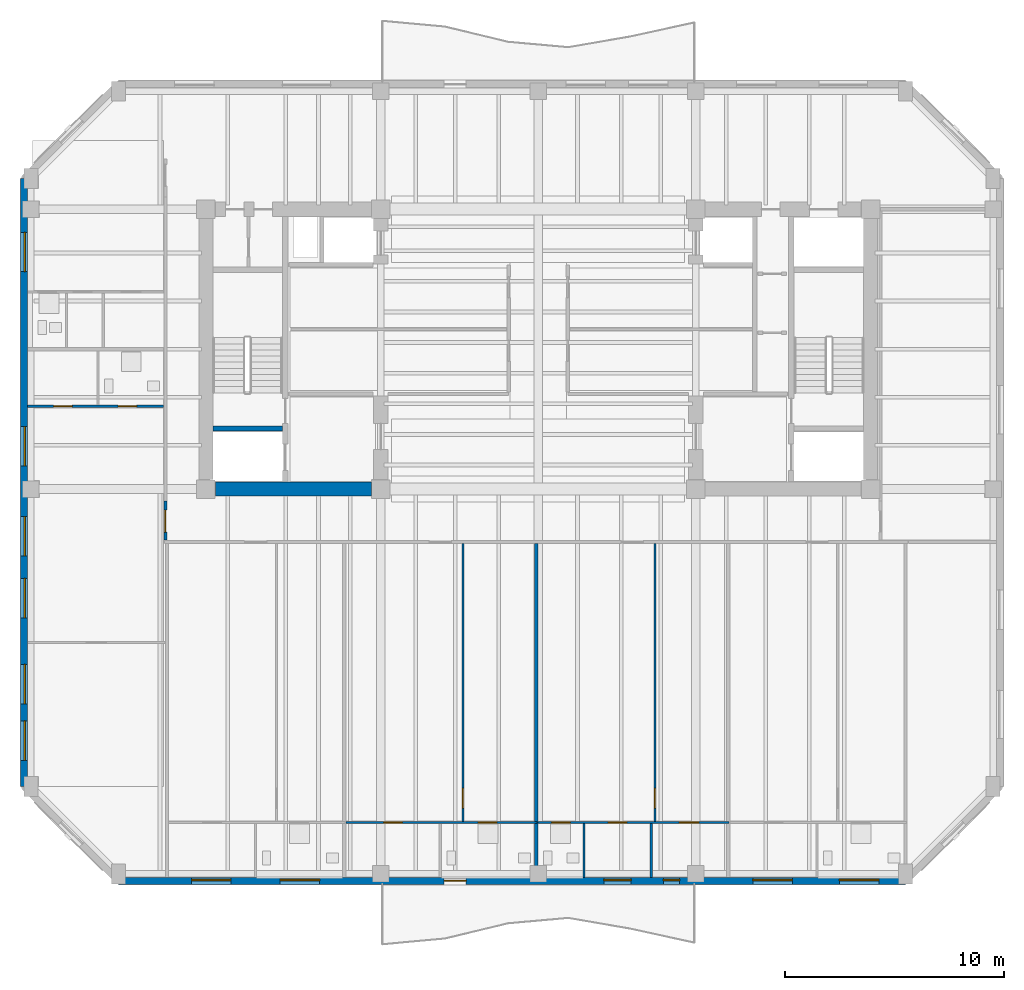
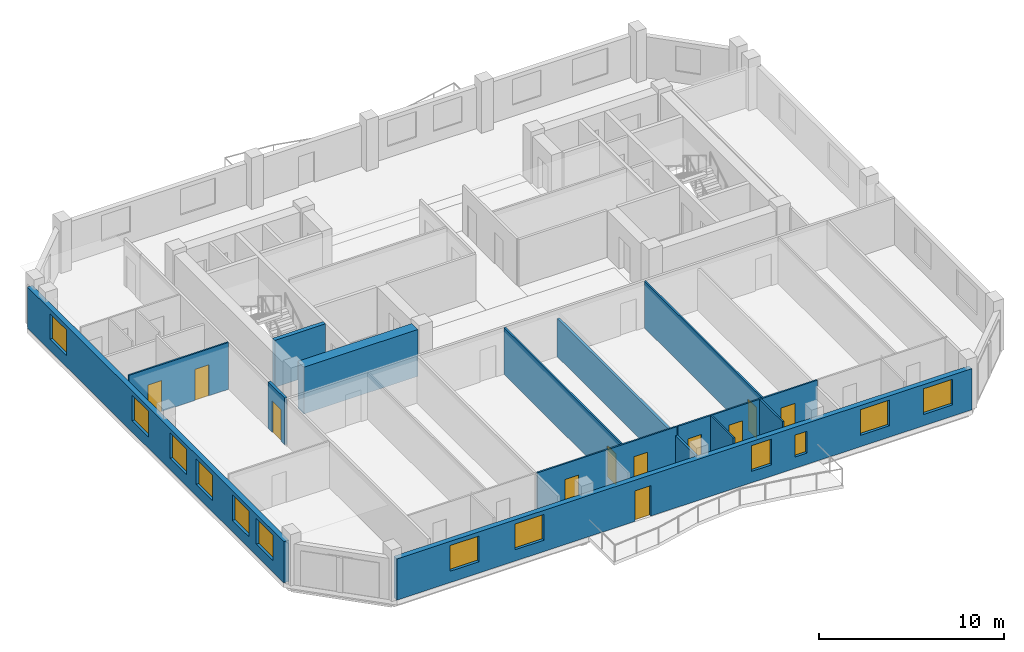
# One storey, part 3 of 11: 13 walls, 12 windows, 11 doors, 23 openings.
"""IFC4 building model written with IfcOpenShell, lengths in metres."""

from ifc_helpers import new_model, si_unit, direction, frame, frame_2d, origin, place, context, subcontext, project, spatial, rectangle, extrude, material, layer, layer_set, type_object, element, fill, save


model = new_model("IFC4")

# Units and contexts
model_context = context("Model", 3, precision=1e-05, world=origin(), true_north=direction((0.0, 1.0)))
body_context = subcontext(model_context, "Body", "Model", "MODEL_VIEW")
ifc_project = project(units=[si_unit("LENGTHUNIT", "METRE"), si_unit("AREAUNIT", "SQUARE_METRE"), si_unit("VOLUMEUNIT", "CUBIC_METRE"), si_unit("PLANEANGLEUNIT", "RADIAN"), si_unit("MASSUNIT", "GRAM", prefix="KILO")], contexts=[model_context])

# Site, building, storey
site_placement = place(None, origin())
site = spatial("IfcSite", under=ifc_project, at=site_placement, CompositionType="ELEMENT")
building_placement = place(site_placement, origin())
building = spatial("IfcBuilding", under=site, at=building_placement, Name="Kranthara Brick Stack", CompositionType="ELEMENT")
storey_placement = place(building_placement, frame((0.0, 0.0, 221.10009765625)))
storey = spatial("IfcBuildingStorey", under=building, at=storey_placement, Name="L57", CompositionType="ELEMENT", Elevation=221.10009765625)

# Wall, openings, door, windows
ifc_material_1 = material(Name="Warm buff clay brick masonry M15", Category="masonry")
ifc_layer_1 = layer(ifc_material_1, 0.320068359375)
ifc_layer_set_1 = layer_set([ifc_layer_1], Name="Warm buff clay brick masonry M15")
wall_type_1 = type_object("IfcWallType", Name="WL-BRK-UPPR-320", PredefinedType="STANDARD", material=ifc_layer_set_1)
wall_1_placement = place(storey_placement, frame((44.800048828125, 2.8798828125, 0.0), z_axis=(0.0, 0.0, 1.0), x_axis=(-1.0, 0.0, 0.0)))
wall_1 = element("IfcWall", 1, at=wall_1_placement, inside=storey, type_object=wall_type_1, Name="L57 Exterior Brick Facade Wall SOUTH 1", PredefinedType="STANDARD", context=body_context, shape_type="SweptSolid", body=[
    extrude(rectangle(XDim=36.0, YDim=0.320068359375, at=frame_2d((18.0, 0.0))), origin(), (0.0, 0.0, 1.0), 2.724853515625),
])
opening_1_placement = place(wall_1_placement, frame((20.10009765625, 0.0, 0.0)))
opening_1 = element("IfcOpeningElement", 2, at=opening_1_placement, cuts=wall_1, Name="Opening D03", PredefinedType="OPENING", context=body_context, shape_type="SweptSolid", body=[
    extrude(rectangle(XDim=1.0, YDim=2.02001953125, at=frame_2d((0.5, 1.010009765625))), frame((0.0, 0.169921875, 0.0), z_axis=(0.0, -1.0, 0.0), x_axis=(1.0, 0.0, 0.0)), (0.0, 0.0, 1.0), 0.340087890625),
])
opening_2_placement = place(wall_1_placement, frame((1.22705078125, 0.0, 0.75)))
opening_2 = element("IfcOpeningElement", 3, at=opening_2_placement, cuts=wall_1, Name="Opening WN07", PredefinedType="OPENING", context=body_context, shape_type="SweptSolid", body=[
    extrude(rectangle(XDim=1.800048828125, YDim=1.699951171875, at=frame_2d((0.89990234375, 0.85009765625))), frame((0.0, 0.169921875, 0.0), z_axis=(0.0, -1.0, 0.0), x_axis=(1.0, 0.0, 0.0)), (0.0, 0.0, 1.0), 0.340087890625),
])
opening_3_placement = place(wall_1_placement, frame((5.179931640625, 0.0, 0.75)))
opening_3 = element("IfcOpeningElement", 4, at=opening_3_placement, cuts=wall_1, Name="Opening WN07", PredefinedType="OPENING", context=body_context, shape_type="SweptSolid", body=[
    extrude(rectangle(XDim=1.800048828125, YDim=1.699951171875, at=frame_2d((0.89990234375, 0.85009765625))), frame((0.0, 0.169921875, 0.0), z_axis=(0.0, -1.0, 0.0), x_axis=(1.0, 0.0, 0.0)), (0.0, 0.0, 1.0), 0.340087890625),
])
opening_4_placement = place(wall_1_placement, frame((12.548095703125, 0.0, 0.75)))
opening_4 = element("IfcOpeningElement", 5, at=opening_4_placement, cuts=wall_1, Name="Opening WN09", PredefinedType="OPENING", context=body_context, shape_type="SweptSolid", body=[
    extrude(rectangle(XDim=1.25, YDim=1.699951171875, at=frame_2d((0.625, 0.85009765625))), frame((0.0, 0.169921875, 0.0), z_axis=(0.0, -1.0, 0.0), x_axis=(1.0, 0.0, 0.0)), (0.0, 0.0, 1.0), 0.340087890625),
])
opening_5_placement = place(wall_1_placement, frame((26.800048828125, 0.0, 0.75)))
opening_5 = element("IfcOpeningElement", 6, at=opening_5_placement, cuts=wall_1, Name="Opening WN07", PredefinedType="OPENING", context=body_context, shape_type="SweptSolid", body=[
    extrude(rectangle(XDim=1.800048828125, YDim=1.699951171875, at=frame_2d((0.89990234375, 0.85009765625))), frame((0.0, 0.169921875, 0.0), z_axis=(0.0, -1.0, 0.0), x_axis=(1.0, 0.0, 0.0)), (0.0, 0.0, 1.0), 0.340087890625),
])
opening_6_placement = place(wall_1_placement, frame((30.85400390625, 0.0, 0.75)))
opening_6 = element("IfcOpeningElement", 7, at=opening_6_placement, cuts=wall_1, Name="Opening WN07", PredefinedType="OPENING", context=body_context, shape_type="SweptSolid", body=[
    extrude(rectangle(XDim=1.800048828125, YDim=1.699951171875, at=frame_2d((0.89990234375, 0.85009765625))), frame((0.0, 0.169921875, 0.0), z_axis=(0.0, -1.0, 0.0), x_axis=(1.0, 0.0, 0.0)), (0.0, 0.0, 1.0), 0.340087890625),
])
opening_7_placement = place(wall_1_placement, frame((10.330078125, 0.0, 0.75)))
opening_7 = element("IfcOpeningElement", 8, at=opening_7_placement, cuts=wall_1, Name="Opening WN13", PredefinedType="OPENING", context=body_context, shape_type="SweptSolid", body=[
    extrude(rectangle(XDim=0.75, YDim=1.449951171875, at=frame_2d((0.375, 0.72509765625))), frame((0.0, 0.169921875, 0.0), z_axis=(0.0, -1.0, 0.0), x_axis=(1.0, 0.0, 0.0)), (0.0, 0.0, 1.0), 0.340087890625),
])
ifc_material_2 = material(Name="Bronze anodised aluminium and laminated glass", Category="aluminium")
door_type_1 = type_object("IfcDoorType", Name="DR-BALC-1000", OperationType="NOTDEFINED", PredefinedType="DOOR", material=ifc_material_2)
door_1_placement = place(opening_1_placement, origin())
door_1 = element("IfcDoor", 9, at=door_1_placement, inside=storey, type_object=door_type_1, Name="L57 South Balcony Terrace Door", OperationType="SINGLE_SWING_LEFT", OverallHeight=2.02001953125, OverallWidth=1.0, PredefinedType="DOOR", context=body_context, shape_type="SweptSolid", body=[
    extrude(rectangle(XDim=1.0, YDim=2.02001953125, at=frame_2d((0.5, 1.010009765625))), frame((0.0, 0.02490234375, 0.0), z_axis=(0.0, -1.0, 0.0), x_axis=(1.0, 0.0, 0.0)), (0.0, 0.0, 1.0), 0.050048828125),
])
fill(opening_1, door_1)
ifc_material_3 = material(Name="Double-glazed low-E solar control glass", Category="glass")
window_type_1 = type_object("IfcWindowType", Name="WN-CAS-750x1450", PartitioningType="SINGLE_PANEL", PredefinedType="WINDOW", material=ifc_material_3)
window_1_placement = place(opening_7_placement, origin())
window_1 = element("IfcWindow", 10, at=window_1_placement, inside=storey, type_object=window_type_1, Name="L57 South Deep-Set Casement Window 06", OverallHeight=1.449951171875, OverallWidth=0.75, PartitioningType="SINGLE_PANEL", PredefinedType="WINDOW", context=body_context, shape_type="SweptSolid", body=[
    extrude(rectangle(XDim=0.75, YDim=1.449951171875, at=frame_2d((0.375, 0.72509765625))), frame((0.0, -0.010009765625, 0.0), z_axis=(0.0, -1.0, 0.0), x_axis=(1.0, 0.0, 0.0)), (0.0, 0.0, 1.0), 0.06005859375),
])
fill(opening_7, window_1)
ifc_material_4 = material(Name="Double-glazed low-E solar control glass", Category="glass")
window_type_2 = type_object("IfcWindowType", Name="WN-RES-1250x1850", PartitioningType="SINGLE_PANEL", PredefinedType="WINDOW", material=ifc_material_4)
window_2_placement = place(opening_4_placement, origin())
window_2 = element("IfcWindow", 11, at=window_2_placement, inside=storey, type_object=window_type_2, Name="L57 South Deep-Set Brick Window 03", OverallHeight=1.699951171875, OverallWidth=1.25, PartitioningType="SINGLE_PANEL", PredefinedType="WINDOW", context=body_context, shape_type="SweptSolid", body=[
    extrude(rectangle(XDim=1.25, YDim=1.699951171875, at=frame_2d((0.625, 0.85009765625))), frame((0.0, -0.010009765625, 0.0), z_axis=(0.0, -1.0, 0.0), x_axis=(1.0, 0.0, 0.0)), (0.0, 0.0, 1.0), 0.06005859375),
])
fill(opening_4, window_2)
ifc_material_5 = material(Name="Double-glazed low-E solar control glass", Category="glass")
window_type_3 = type_object("IfcWindowType", Name="WN-RES-1800x1850", PartitioningType="DOUBLE_PANEL_VERTICAL", PredefinedType="WINDOW", material=ifc_material_5)
window_3_placement = place(opening_2_placement, origin())
window_3 = element("IfcWindow", 12, at=window_3_placement, inside=storey, type_object=window_type_3, Name="L57 South Deep-Set Brick Window 01", OverallHeight=1.699951171875, OverallWidth=1.800048828125, PartitioningType="SINGLE_PANEL", PredefinedType="WINDOW", context=body_context, shape_type="SweptSolid", body=[
    extrude(rectangle(XDim=1.800048828125, YDim=1.699951171875, at=frame_2d((0.89990234375, 0.85009765625))), frame((0.0, -0.010009765625, 0.0), z_axis=(0.0, -1.0, 0.0), x_axis=(1.0, 0.0, 0.0)), (0.0, 0.0, 1.0), 0.06005859375),
])
fill(opening_2, window_3)
window_4_placement = place(opening_3_placement, origin())
window_4 = element("IfcWindow", 13, at=window_4_placement, inside=storey, type_object=window_type_3, Name="L57 South Deep-Set Brick Window 02", OverallHeight=1.699951171875, OverallWidth=1.800048828125, PartitioningType="SINGLE_PANEL", PredefinedType="WINDOW", context=body_context, shape_type="SweptSolid", body=[
    extrude(rectangle(XDim=1.800048828125, YDim=1.699951171875, at=frame_2d((0.89990234375, 0.85009765625))), frame((0.0, -0.010009765625, 0.0), z_axis=(0.0, -1.0, 0.0), x_axis=(1.0, 0.0, 0.0)), (0.0, 0.0, 1.0), 0.06005859375),
])
fill(opening_3, window_4)
window_5_placement = place(opening_5_placement, origin())
window_5 = element("IfcWindow", 14, at=window_5_placement, inside=storey, type_object=window_type_3, Name="L57 South Deep-Set Brick Window 04", OverallHeight=1.699951171875, OverallWidth=1.800048828125, PartitioningType="SINGLE_PANEL", PredefinedType="WINDOW", context=body_context, shape_type="SweptSolid", body=[
    extrude(rectangle(XDim=1.800048828125, YDim=1.699951171875, at=frame_2d((0.89990234375, 0.85009765625))), frame((0.0, -0.010009765625, 0.0), z_axis=(0.0, -1.0, 0.0), x_axis=(1.0, 0.0, 0.0)), (0.0, 0.0, 1.0), 0.06005859375),
])
fill(opening_5, window_5)
window_6_placement = place(opening_6_placement, origin())
window_6 = element("IfcWindow", 15, at=window_6_placement, inside=storey, type_object=window_type_3, Name="L57 South Deep-Set Brick Window 05", OverallHeight=1.699951171875, OverallWidth=1.800048828125, PartitioningType="SINGLE_PANEL", PredefinedType="WINDOW", context=body_context, shape_type="SweptSolid", body=[
    extrude(rectangle(XDim=1.800048828125, YDim=1.699951171875, at=frame_2d((0.89990234375, 0.85009765625))), frame((0.0, -0.010009765625, 0.0), z_axis=(0.0, -1.0, 0.0), x_axis=(1.0, 0.0, 0.0)), (0.0, 0.0, 1.0), 0.06005859375),
])
fill(opening_6, window_6)

# Wall, openings, windows
wall_2_placement = place(storey_placement, frame((4.47998046875, 7.199951171875, 0.0), z_axis=(0.0, 0.0, 1.0), x_axis=(0.0, 1.0, 0.0)))
wall_2 = element("IfcWall", 16, at=wall_2_placement, inside=storey, type_object=wall_type_1, Name="L57 Exterior Brick Facade Wall WEST 1", PredefinedType="STANDARD", context=body_context, shape_type="SweptSolid", body=[
    extrude(rectangle(XDim=27.800048828125, YDim=0.320068359375, at=frame_2d((13.89990234375, 0.0))), origin(), (0.0, 0.0, 1.0), 2.724853515625),
])
opening_8_placement = place(wall_2_placement, frame((1.197998046875, 0.0, 0.75)))
opening_8 = element("IfcOpeningElement", 17, at=opening_8_placement, cuts=wall_2, Name="Opening WN07", PredefinedType="OPENING", context=body_context, shape_type="SweptSolid", body=[
    extrude(rectangle(XDim=1.800048828125, YDim=1.699951171875, at=frame_2d((0.89990234375, 0.85009765625))), frame((0.0, 0.169921875, 0.0), z_axis=(0.0, -1.0, 0.0), x_axis=(1.0, 0.0, 0.0)), (0.0, 0.0, 1.0), 0.340087890625),
])
opening_9_placement = place(wall_2_placement, frame((3.780029296875, 0.0, 0.75)))
opening_9 = element("IfcOpeningElement", 18, at=opening_9_placement, cuts=wall_2, Name="Opening WN07", PredefinedType="OPENING", context=body_context, shape_type="SweptSolid", body=[
    extrude(rectangle(XDim=1.800048828125, YDim=1.699951171875, at=frame_2d((0.89990234375, 0.85009765625))), frame((0.0, 0.169921875, 0.0), z_axis=(0.0, -1.0, 0.0), x_axis=(1.0, 0.0, 0.0)), (0.0, 0.0, 1.0), 0.340087890625),
])
opening_10_placement = place(wall_2_placement, frame((7.7109375, 0.0, 0.75)))
opening_10 = element("IfcOpeningElement", 19, at=opening_10_placement, cuts=wall_2, Name="Opening WN07", PredefinedType="OPENING", context=body_context, shape_type="SweptSolid", body=[
    extrude(rectangle(XDim=1.800048828125, YDim=1.699951171875, at=frame_2d((0.89990234375, 0.85009765625))), frame((0.0, 0.169921875, 0.0), z_axis=(0.0, -1.0, 0.0), x_axis=(1.0, 0.0, 0.0)), (0.0, 0.0, 1.0), 0.340087890625),
])
opening_11_placement = place(wall_2_placement, frame((10.5419921875, 0.0, 0.75)))
opening_11 = element("IfcOpeningElement", 20, at=opening_11_placement, cuts=wall_2, Name="Opening WN07", PredefinedType="OPENING", context=body_context, shape_type="SweptSolid", body=[
    extrude(rectangle(XDim=1.800048828125, YDim=1.699951171875, at=frame_2d((0.89990234375, 0.85009765625))), frame((0.0, 0.169921875, 0.0), z_axis=(0.0, -1.0, 0.0), x_axis=(1.0, 0.0, 0.0)), (0.0, 0.0, 1.0), 0.340087890625),
])
opening_12_placement = place(wall_2_placement, frame((14.657958984375, 0.0, 0.75)))
opening_12 = element("IfcOpeningElement", 21, at=opening_12_placement, cuts=wall_2, Name="Opening WN07", PredefinedType="OPENING", context=body_context, shape_type="SweptSolid", body=[
    extrude(rectangle(XDim=1.800048828125, YDim=1.699951171875, at=frame_2d((0.89990234375, 0.85009765625))), frame((0.0, 0.169921875, 0.0), z_axis=(0.0, -1.0, 0.0), x_axis=(1.0, 0.0, 0.0)), (0.0, 0.0, 1.0), 0.340087890625),
])
opening_13_placement = place(wall_2_placement, frame((23.54296875, 0.0, 0.75)))
opening_13 = element("IfcOpeningElement", 22, at=opening_13_placement, cuts=wall_2, Name="Opening WN07", PredefinedType="OPENING", context=body_context, shape_type="SweptSolid", body=[
    extrude(rectangle(XDim=1.800048828125, YDim=1.699951171875, at=frame_2d((0.89990234375, 0.85009765625))), frame((0.0, 0.169921875, 0.0), z_axis=(0.0, -1.0, 0.0), x_axis=(1.0, 0.0, 0.0)), (0.0, 0.0, 1.0), 0.340087890625),
])
window_7_placement = place(opening_8_placement, origin())
window_7 = element("IfcWindow", 23, at=window_7_placement, inside=storey, type_object=window_type_3, Name="L57 West Deep-Set Brick Window 01", OverallHeight=1.699951171875, OverallWidth=1.800048828125, PartitioningType="SINGLE_PANEL", PredefinedType="WINDOW", context=body_context, shape_type="SweptSolid", body=[
    extrude(rectangle(XDim=1.800048828125, YDim=1.699951171875, at=frame_2d((0.89990234375, 0.85009765625))), frame((0.0, -0.010009765625, 0.0), z_axis=(0.0, -1.0, 0.0), x_axis=(1.0, 0.0, 0.0)), (0.0, 0.0, 1.0), 0.06005859375),
])
fill(opening_8, window_7)
window_8_placement = place(opening_9_placement, origin())
window_8 = element("IfcWindow", 24, at=window_8_placement, inside=storey, type_object=window_type_3, Name="L57 West Deep-Set Brick Window 02", OverallHeight=1.699951171875, OverallWidth=1.800048828125, PartitioningType="SINGLE_PANEL", PredefinedType="WINDOW", context=body_context, shape_type="SweptSolid", body=[
    extrude(rectangle(XDim=1.800048828125, YDim=1.699951171875, at=frame_2d((0.89990234375, 0.85009765625))), frame((0.0, -0.010009765625, 0.0), z_axis=(0.0, -1.0, 0.0), x_axis=(1.0, 0.0, 0.0)), (0.0, 0.0, 1.0), 0.06005859375),
])
fill(opening_9, window_8)
window_9_placement = place(opening_10_placement, origin())
window_9 = element("IfcWindow", 25, at=window_9_placement, inside=storey, type_object=window_type_3, Name="L57 West Deep-Set Brick Window 03", OverallHeight=1.699951171875, OverallWidth=1.800048828125, PartitioningType="SINGLE_PANEL", PredefinedType="WINDOW", context=body_context, shape_type="SweptSolid", body=[
    extrude(rectangle(XDim=1.800048828125, YDim=1.699951171875, at=frame_2d((0.89990234375, 0.85009765625))), frame((0.0, -0.010009765625, 0.0), z_axis=(0.0, -1.0, 0.0), x_axis=(1.0, 0.0, 0.0)), (0.0, 0.0, 1.0), 0.06005859375),
])
fill(opening_10, window_9)
window_10_placement = place(opening_11_placement, origin())
window_10 = element("IfcWindow", 26, at=window_10_placement, inside=storey, type_object=window_type_3, Name="L57 West Deep-Set Brick Window 04", OverallHeight=1.699951171875, OverallWidth=1.800048828125, PartitioningType="SINGLE_PANEL", PredefinedType="WINDOW", context=body_context, shape_type="SweptSolid", body=[
    extrude(rectangle(XDim=1.800048828125, YDim=1.699951171875, at=frame_2d((0.89990234375, 0.85009765625))), frame((0.0, -0.010009765625, 0.0), z_axis=(0.0, -1.0, 0.0), x_axis=(1.0, 0.0, 0.0)), (0.0, 0.0, 1.0), 0.06005859375),
])
fill(opening_11, window_10)
window_11_placement = place(opening_12_placement, origin())
window_11 = element("IfcWindow", 27, at=window_11_placement, inside=storey, type_object=window_type_3, Name="L57 West Deep-Set Brick Window 05", OverallHeight=1.699951171875, OverallWidth=1.800048828125, PartitioningType="SINGLE_PANEL", PredefinedType="WINDOW", context=body_context, shape_type="SweptSolid", body=[
    extrude(rectangle(XDim=1.800048828125, YDim=1.699951171875, at=frame_2d((0.89990234375, 0.85009765625))), frame((0.0, -0.010009765625, 0.0), z_axis=(0.0, -1.0, 0.0), x_axis=(1.0, 0.0, 0.0)), (0.0, 0.0, 1.0), 0.06005859375),
])
fill(opening_12, window_11)
window_12_placement = place(opening_13_placement, origin())
window_12 = element("IfcWindow", 28, at=window_12_placement, inside=storey, type_object=window_type_3, Name="L57 West Deep-Set Brick Window 06", OverallHeight=1.699951171875, OverallWidth=1.800048828125, PartitioningType="SINGLE_PANEL", PredefinedType="WINDOW", context=body_context, shape_type="SweptSolid", body=[
    extrude(rectangle(XDim=1.800048828125, YDim=1.699951171875, at=frame_2d((0.89990234375, 0.85009765625))), frame((0.0, -0.010009765625, 0.0), z_axis=(0.0, -1.0, 0.0), x_axis=(1.0, 0.0, 0.0)), (0.0, 0.0, 1.0), 0.06005859375),
])
fill(opening_13, window_12)

# Walls
ifc_material_6 = material(Name="Concrete C50/60", Category="concrete")
ifc_layer_2 = layer(ifc_material_6, 0.25)
ifc_layer_set_2 = layer_set([ifc_layer_2], Name="Concrete C50/60")
wall_type_2 = type_object("IfcWallType", Name="WL-CORE-250", PredefinedType="SHEAR", material=ifc_layer_set_2)
wall_3_placement = place(storey_placement, frame((13.135009765625, 23.570068359375, 0.0), z_axis=(0.0, 0.0, 1.0), x_axis=(1.0, 0.0, 0.0)))
element("IfcWall", 29, at=wall_3_placement, inside=storey, type_object=wall_type_2, Name="L57 West Stairwell Bearing Wall WFF", PredefinedType="SHEAR", context=body_context, shape_type="SweptSolid", body=[
    extrude(rectangle(XDim=3.175048828125, YDim=0.25, at=frame_2d((1.58740234375, 0.0))), origin(), (0.0, 0.0, 1.0), 3.099853515625),
])
ifc_material_7 = material(Name="Concrete C60/75", Category="concrete")
ifc_layer_3 = layer(ifc_material_7, 0.64990234375)
ifc_layer_set_3 = layer_set([ifc_layer_3], Name="Concrete C60/75")
wall_type_3 = type_object("IfcWallType", Name="WL-CORE-650", PredefinedType="SHEAR", material=ifc_layer_set_3)
wall_4_placement = place(storey_placement, frame((13.22998046875, 20.800048828125, 0.0), z_axis=(0.0, 0.0, 1.0), x_axis=(1.0, 0.0, 0.0)))
element("IfcWall", 30, at=wall_4_placement, inside=storey, type_object=wall_type_3, Name="L57 West Core Shear Wall South", PredefinedType="SHEAR", context=body_context, shape_type="SweptSolid", body=[
    extrude(rectangle(XDim=7.14013671875, YDim=0.64990234375, at=frame_2d((3.570068359375, 0.0))), origin(), (0.0, 0.0, 1.0), 3.099853515625),
])

# Wall, openings, doors
ifc_material_8 = material(Name="Moisture-resistant wet-room partition", Category="other")
ifc_layer_4 = layer(ifc_material_8, 0.10009765625)
ifc_layer_set_4 = layer_set([ifc_layer_4], Name="Moisture-resistant wet-room partition")
wall_type_4 = type_object("IfcWallType", Name="WL-PART-100", PredefinedType="PARTITIONING", material=ifc_layer_set_4)
wall_5_placement = place(storey_placement, frame((19.20703125, 5.550048828125, 0.0), z_axis=(0.0, 0.0, 1.0), x_axis=(1.0, 0.0, 0.0)))
wall_5 = element("IfcWall", 31, at=wall_5_placement, inside=storey, type_object=wall_type_4, Name="L57 Interior Partition 016", PredefinedType="PARTITIONING", context=body_context, shape_type="SweptSolid", body=[
    extrude(rectangle(XDim=8.742919921875, YDim=0.10009765625, at=frame_2d((4.37158203125, 0.0))), origin(), (0.0, 0.0, 1.0), 3.099853515625),
])
opening_14_placement = place(wall_5_placement, frame((1.72998046875, 0.0, 0.0)))
opening_14 = element("IfcOpeningElement", 32, at=opening_14_placement, cuts=wall_5, Name="Opening D16", PredefinedType="OPENING", context=body_context, shape_type="SweptSolid", body=[
    extrude(rectangle(XDim=0.85009765625, YDim=2.050048828125, at=frame_2d((0.425048828125, 1.02490234375))), frame((0.0, 0.06005859375, 0.0), z_axis=(0.0, -1.0, 0.0), x_axis=(1.0, 0.0, 0.0)), (0.0, 0.0, 1.0), 0.1201171875),
])
opening_15_placement = place(wall_5_placement, frame((6.0419921875, 0.0, 0.0)))
opening_15 = element("IfcOpeningElement", 33, at=opening_15_placement, cuts=wall_5, Name="Opening D17", PredefinedType="OPENING", context=body_context, shape_type="SweptSolid", body=[
    extrude(rectangle(XDim=0.85009765625, YDim=2.050048828125, at=frame_2d((0.425048828125, 1.02490234375))), frame((0.0, 0.06005859375, 0.0), z_axis=(0.0, -1.0, 0.0), x_axis=(1.0, 0.0, 0.0)), (0.0, 0.0, 1.0), 0.1201171875),
])
ifc_material_9 = material(Name="Solid-core hardwood timber leaf in steel frame", Category="steel")
door_type_2 = type_object("IfcDoorType", Name="DR-INT-850", OperationType="NOTDEFINED", PredefinedType="DOOR", material=ifc_material_9)
door_2_placement = place(opening_14_placement, origin())
door_2 = element("IfcDoor", 34, at=door_2_placement, inside=storey, type_object=door_type_2, Name="L57 Unit L57B Kitchen 14", OperationType="SINGLE_SWING_RIGHT", OverallHeight=2.050048828125, OverallWidth=0.85009765625, PredefinedType="DOOR", context=body_context, shape_type="SweptSolid", body=[
    extrude(rectangle(XDim=0.85009765625, YDim=2.050048828125, at=frame_2d((0.425048828125, 1.02490234375))), frame((0.0, 0.02490234375, 0.0), z_axis=(0.0, -1.0, 0.0), x_axis=(1.0, 0.0, 0.0)), (0.0, 0.0, 1.0), 0.050048828125),
])
fill(opening_14, door_2)
ifc_material_10 = material(Name="Solid-core hardwood timber leaf in steel frame", Category="steel")
door_type_3 = type_object("IfcDoorType", Name="DR-WET-850", OperationType="NOTDEFINED", PredefinedType="DOOR", material=ifc_material_10)
door_3_placement = place(opening_15_placement, origin())
door_3 = element("IfcDoor", 35, at=door_3_placement, inside=storey, type_object=door_type_3, Name="L57 Unit L57B Bathroom 15", OperationType="SINGLE_SWING_LEFT", OverallHeight=2.050048828125, OverallWidth=0.85009765625, PredefinedType="DOOR", context=body_context, shape_type="SweptSolid", body=[
    extrude(rectangle(XDim=0.85009765625, YDim=2.050048828125, at=frame_2d((0.425048828125, 1.02490234375))), frame((0.0, 0.02490234375, 0.0), z_axis=(0.0, -1.0, 0.0), x_axis=(1.0, 0.0, 0.0)), (0.0, 0.0, 1.0), 0.050048828125),
])
fill(opening_15, door_3)

# Wall, opening, door
wall_6_placement = place(storey_placement, frame((24.552978515625, 5.60498046875, 0.0), z_axis=(0.0, 0.0, 1.0), x_axis=(0.0, 1.0, 0.0)))
wall_6 = element("IfcWall", 36, at=wall_6_placement, inside=storey, type_object=wall_type_4, Name="L57 Interior Partition 017", PredefinedType="PARTITIONING", context=body_context, shape_type="SweptSolid", body=[
    extrude(rectangle(XDim=12.695068359375, YDim=0.10009765625, at=frame_2d((6.34765625, 0.0))), origin(), (0.0, 0.0, 1.0), 3.099853515625),
])
opening_16_placement = place(wall_6_placement, frame((0.60498046875, 0.0, 0.0)))
opening_16 = element("IfcOpeningElement", 37, at=opening_16_placement, cuts=wall_6, Name="Opening D15", PredefinedType="OPENING", context=body_context, shape_type="SweptSolid", body=[
    extrude(rectangle(XDim=0.89990234375, YDim=2.050048828125, at=frame_2d((0.449951171875, 1.02490234375))), frame((0.0, 0.06005859375, 0.0), z_axis=(0.0, -1.0, 0.0), x_axis=(1.0, 0.0, 0.0)), (0.0, 0.0, 1.0), 0.1201171875),
])
ifc_material_11 = material(Name="Solid-core hardwood timber leaf in steel frame", Category="steel")
door_type_4 = type_object("IfcDoorType", Name="DR-INT-900", OperationType="NOTDEFINED", PredefinedType="DOOR", material=ifc_material_11)
door_4_placement = place(opening_16_placement, origin())
door_4 = element("IfcDoor", 38, at=door_4_placement, inside=storey, type_object=door_type_4, Name="L57 Unit L57B Study 13", OperationType="SINGLE_SWING_LEFT", OverallHeight=2.050048828125, OverallWidth=0.89990234375, PredefinedType="DOOR", context=body_context, shape_type="SweptSolid", body=[
    extrude(rectangle(XDim=0.89990234375, YDim=2.050048828125, at=frame_2d((0.449951171875, 1.02490234375))), frame((0.0, 0.02490234375, 0.0), z_axis=(0.0, -1.0, 0.0), x_axis=(1.0, 0.0, 0.0)), (0.0, 0.0, 1.0), 0.050048828125),
])
fill(opening_16, door_4)

# Wall, openings, doors
wall_7_placement = place(storey_placement, frame((27.989990234375, 5.550048828125, 0.0), z_axis=(0.0, 0.0, 1.0), x_axis=(1.0, 0.0, 0.0)))
wall_7 = element("IfcWall", 39, at=wall_7_placement, inside=storey, type_object=wall_type_4, Name="L57 Interior Partition 020", PredefinedType="PARTITIONING", context=body_context, shape_type="SweptSolid", body=[
    extrude(rectangle(XDim=8.742919921875, YDim=0.10009765625, at=frame_2d((4.37158203125, 0.0))), origin(), (0.0, 0.0, 1.0), 3.099853515625),
])
opening_17_placement = place(wall_7_placement, frame((0.625, 0.0, 0.0)))
opening_17 = element("IfcOpeningElement", 40, at=opening_17_placement, cuts=wall_7, Name="Opening D17", PredefinedType="OPENING", context=body_context, shape_type="SweptSolid", body=[
    extrude(rectangle(XDim=0.85009765625, YDim=2.050048828125, at=frame_2d((0.425048828125, 1.02490234375))), frame((0.0, 0.06005859375, 0.0), z_axis=(0.0, -1.0, 0.0), x_axis=(1.0, 0.0, 0.0)), (0.0, 0.0, 1.0), 0.1201171875),
])
opening_18_placement = place(wall_7_placement, frame((3.2119140625, 0.0, 0.0)))
opening_18 = element("IfcOpeningElement", 41, at=opening_18_placement, cuts=wall_7, Name="Opening D16", PredefinedType="OPENING", context=body_context, shape_type="SweptSolid", body=[
    extrude(rectangle(XDim=0.85009765625, YDim=2.050048828125, at=frame_2d((0.425048828125, 1.02490234375))), frame((0.0, 0.06005859375, 0.0), z_axis=(0.0, -1.0, 0.0), x_axis=(1.0, 0.0, 0.0)), (0.0, 0.0, 1.0), 0.1201171875),
])
opening_19_placement = place(wall_7_placement, frame((6.448974609375, 0.0, 0.0)))
opening_19 = element("IfcOpeningElement", 42, at=opening_19_placement, cuts=wall_7, Name="Opening D15", PredefinedType="OPENING", context=body_context, shape_type="SweptSolid", body=[
    extrude(rectangle(XDim=0.89990234375, YDim=2.050048828125, at=frame_2d((0.449951171875, 1.02490234375))), frame((0.0, 0.06005859375, 0.0), z_axis=(0.0, -1.0, 0.0), x_axis=(1.0, 0.0, 0.0)), (0.0, 0.0, 1.0), 0.1201171875),
])
door_5_placement = place(opening_18_placement, origin())
door_5 = element("IfcDoor", 43, at=door_5_placement, inside=storey, type_object=door_type_2, Name="L57 Unit L57C Kitchen 19", OperationType="SINGLE_SWING_LEFT", OverallHeight=2.050048828125, OverallWidth=0.85009765625, PredefinedType="DOOR", context=body_context, shape_type="SweptSolid", body=[
    extrude(rectangle(XDim=0.85009765625, YDim=2.050048828125, at=frame_2d((0.425048828125, 1.02490234375))), frame((0.0, 0.02490234375, 0.0), z_axis=(0.0, -1.0, 0.0), x_axis=(1.0, 0.0, 0.0)), (0.0, 0.0, 1.0), 0.050048828125),
])
fill(opening_18, door_5)
door_6_placement = place(opening_19_placement, origin())
door_6 = element("IfcDoor", 44, at=door_6_placement, inside=storey, type_object=door_type_4, Name="L57 Unit L57C Bedroom 20", OperationType="SINGLE_SWING_RIGHT", OverallHeight=2.050048828125, OverallWidth=0.89990234375, PredefinedType="DOOR", context=body_context, shape_type="SweptSolid", body=[
    extrude(rectangle(XDim=0.89990234375, YDim=2.050048828125, at=frame_2d((0.449951171875, 1.02490234375))), frame((0.0, 0.02490234375, 0.0), z_axis=(0.0, -1.0, 0.0), x_axis=(1.0, 0.0, 0.0)), (0.0, 0.0, 1.0), 0.050048828125),
])
fill(opening_19, door_6)
door_7_placement = place(opening_17_placement, origin())
door_7 = element("IfcDoor", 45, at=door_7_placement, inside=storey, type_object=door_type_3, Name="L57 Unit L57C Bathroom 18", OperationType="SINGLE_SWING_RIGHT", OverallHeight=2.050048828125, OverallWidth=0.85009765625, PredefinedType="DOOR", context=body_context, shape_type="SweptSolid", body=[
    extrude(rectangle(XDim=0.85009765625, YDim=2.050048828125, at=frame_2d((0.425048828125, 1.02490234375))), frame((0.0, 0.02490234375, 0.0), z_axis=(0.0, -1.0, 0.0), x_axis=(1.0, 0.0, 0.0)), (0.0, 0.0, 1.0), 0.050048828125),
])
fill(opening_17, door_7)

# Wall, opening, door
wall_8_placement = place(storey_placement, frame((33.3359375, 5.60498046875, 0.0), z_axis=(0.0, 0.0, 1.0), x_axis=(0.0, 1.0, 0.0)))
wall_8 = element("IfcWall", 46, at=wall_8_placement, inside=storey, type_object=wall_type_4, Name="L57 Interior Partition 021", PredefinedType="PARTITIONING", context=body_context, shape_type="SweptSolid", body=[
    extrude(rectangle(XDim=12.695068359375, YDim=0.10009765625, at=frame_2d((6.34765625, 0.0))), origin(), (0.0, 0.0, 1.0), 3.099853515625),
])
opening_20_placement = place(wall_8_placement, frame((0.60498046875, 0.0, 0.0)))
opening_20 = element("IfcOpeningElement", 47, at=opening_20_placement, cuts=wall_8, Name="Opening D15", PredefinedType="OPENING", context=body_context, shape_type="SweptSolid", body=[
    extrude(rectangle(XDim=0.89990234375, YDim=2.050048828125, at=frame_2d((0.449951171875, 1.02490234375))), frame((0.0, 0.06005859375, 0.0), z_axis=(0.0, -1.0, 0.0), x_axis=(1.0, 0.0, 0.0)), (0.0, 0.0, 1.0), 0.1201171875),
])
door_8_placement = place(opening_20_placement, origin())
door_8 = element("IfcDoor", 48, at=door_8_placement, inside=storey, type_object=door_type_4, Name="L57 Unit L57C Study 17", OperationType="SINGLE_SWING_LEFT", OverallHeight=2.050048828125, OverallWidth=0.89990234375, PredefinedType="DOOR", context=body_context, shape_type="SweptSolid", body=[
    extrude(rectangle(XDim=0.89990234375, YDim=2.050048828125, at=frame_2d((0.449951171875, 1.02490234375))), frame((0.0, 0.02490234375, 0.0), z_axis=(0.0, -1.0, 0.0), x_axis=(1.0, 0.0, 0.0)), (0.0, 0.0, 1.0), 0.050048828125),
])
fill(opening_20, door_8)

# Walls
for number, where, z_axis, x_axis, name in (
    (49, (30.090087890625, 3.044921875, 0.0), (0.0, 0.0, 1.0), (0.0, 1.0, 0.0), "L57 Interior Partition 022"),
    (50, (33.1640625, 3.044921875, 0.0), (0.0, 0.0, 1.0), (0.0, 1.0, 0.0), "L57 Interior Partition 023"),
):
    element("IfcWall", number, at=place(storey_placement, frame(where, z_axis=z_axis, x_axis=x_axis)), inside=storey, type_object=wall_type_4, Name=name, PredefinedType="PARTITIONING", context=body_context, shape_type="SweptSolid", body=[
        extrude(rectangle(XDim=2.4501953125, YDim=0.10009765625, at=frame_2d((1.22509765625, 0.0))), origin(), (0.0, 0.0, 1.0), 3.099853515625),
    ])

# Wall, openings, doors
wall_9_placement = place(storey_placement, frame((4.64501953125, 24.590087890625, 0.0), z_axis=(0.0, 0.0, 1.0), x_axis=(1.0, 0.0, 0.0)))
wall_9 = element("IfcWall", 51, at=wall_9_placement, inside=storey, type_object=wall_type_4, Name="L57 Interior Partition 035", PredefinedType="PARTITIONING", context=body_context, shape_type="SweptSolid", body=[
    extrude(rectangle(XDim=6.22509765625, YDim=0.10009765625, at=frame_2d((3.112548828125, 0.0))), origin(), (0.0, 0.0, 1.0), 3.099853515625),
])
opening_21_placement = place(wall_9_placement, frame((1.19189453125, 0.0, 0.0)))
opening_21 = element("IfcOpeningElement", 52, at=opening_21_placement, cuts=wall_9, Name="Opening D16", PredefinedType="OPENING", context=body_context, shape_type="SweptSolid", body=[
    extrude(rectangle(XDim=0.85009765625, YDim=2.050048828125, at=frame_2d((0.425048828125, 1.02490234375))), frame((0.0, 0.06005859375, 0.0), z_axis=(0.0, -1.0, 0.0), x_axis=(1.0, 0.0, 0.0)), (0.0, 0.0, 1.0), 0.1201171875),
])
opening_22_placement = place(wall_9_placement, frame((4.137939453125, 0.0, 0.0)))
opening_22 = element("IfcOpeningElement", 53, at=opening_22_placement, cuts=wall_9, Name="Opening D17", PredefinedType="OPENING", context=body_context, shape_type="SweptSolid", body=[
    extrude(rectangle(XDim=0.85009765625, YDim=2.050048828125, at=frame_2d((0.425048828125, 1.02490234375))), frame((0.0, 0.06005859375, 0.0), z_axis=(0.0, -1.0, 0.0), x_axis=(1.0, 0.0, 0.0)), (0.0, 0.0, 1.0), 0.1201171875),
])
door_9_placement = place(opening_21_placement, origin())
door_9 = element("IfcDoor", 54, at=door_9_placement, inside=storey, type_object=door_type_2, Name="L57 Unit L57E Kitchen 27", OperationType="SINGLE_SWING_LEFT", OverallHeight=2.050048828125, OverallWidth=0.85009765625, PredefinedType="DOOR", context=body_context, shape_type="SweptSolid", body=[
    extrude(rectangle(XDim=0.85009765625, YDim=2.050048828125, at=frame_2d((0.425048828125, 1.02490234375))), frame((0.0, 0.02490234375, 0.0), z_axis=(0.0, -1.0, 0.0), x_axis=(1.0, 0.0, 0.0)), (0.0, 0.0, 1.0), 0.050048828125),
])
fill(opening_21, door_9)
door_10_placement = place(opening_22_placement, origin())
door_10 = element("IfcDoor", 55, at=door_10_placement, inside=storey, type_object=door_type_3, Name="L57 Unit L57E Bathroom 28", OperationType="SINGLE_SWING_RIGHT", OverallHeight=2.050048828125, OverallWidth=0.85009765625, PredefinedType="DOOR", context=body_context, shape_type="SweptSolid", body=[
    extrude(rectangle(XDim=0.85009765625, YDim=2.050048828125, at=frame_2d((0.425048828125, 1.02490234375))), frame((0.0, 0.02490234375, 0.0), z_axis=(0.0, -1.0, 0.0), x_axis=(1.0, 0.0, 0.0)), (0.0, 0.0, 1.0), 0.050048828125),
])
fill(opening_22, door_10)

# Wall
ifc_material_12 = material(Name="Fire-rated gypsum board partition", Category="other")
ifc_layer_5 = layer(ifc_material_12, 0.14990234375)
ifc_layer_set_5 = layer_set([ifc_layer_5], Name="Fire-rated gypsum board partition")
wall_type_5 = type_object("IfcWallType", Name="WL-PART-150", PredefinedType="PARTITIONING", material=ifc_layer_set_5)
wall_10_placement = place(storey_placement, frame((27.909912109375, 3.044921875, 0.0), z_axis=(0.0, 0.0, 1.0), x_axis=(0.0, 1.0, 0.0)))
element("IfcWall", 56, at=wall_10_placement, inside=storey, type_object=wall_type_5, Name="L57 Interior Partition 019", PredefinedType="PARTITIONING", context=body_context, shape_type="SweptSolid", body=[
    extrude(rectangle(XDim=15.255126953125, YDim=0.14990234375, at=frame_2d((7.62744140625, 0.0))), origin(), (0.0, 0.0, 1.0), 2.534912109375),
])

# Wall, opening, door
wall_11_placement = place(storey_placement, frame((10.949951171875, 18.4599609375, 0.0), z_axis=(0.0, 0.0, 1.0), x_axis=(0.0, 1.0, 0.0)))
wall_11 = element("IfcWall", 57, at=wall_11_placement, inside=storey, type_object=wall_type_5, Name="L57 Interior Partition 030", PredefinedType="PARTITIONING", context=body_context, shape_type="SweptSolid", body=[
    extrude(rectangle(XDim=1.7900390625, YDim=0.14990234375, at=frame_2d((0.89501953125, 0.0))), origin(), (0.0, 0.0, 1.0), 3.099853515625),
])
opening_23_placement = place(wall_11_placement, frame((0.375, 0.0, 0.0)))
opening_23 = element("IfcOpeningElement", 58, at=opening_23_placement, cuts=wall_11, Name="Opening D08", PredefinedType="OPENING", context=body_context, shape_type="SweptSolid", body=[
    extrude(rectangle(XDim=1.0, YDim=2.10009765625, at=frame_2d((0.5, 1.050048828125))), frame((0.0, 0.0849609375, 0.0), z_axis=(0.0, -1.0, 0.0), x_axis=(1.0, 0.0, 0.0)), (0.0, 0.0, 1.0), 0.169921875),
])
ifc_material_13 = material(Name="Solid-core hardwood timber leaf in steel frame", Category="steel")
door_type_5 = type_object("IfcDoorType", Name="DR-FD-1000", OperationType="NOTDEFINED", PredefinedType="DOOR", material=ifc_material_13)
door_11_placement = place(opening_23_placement, origin())
door_11 = element("IfcDoor", 59, at=door_11_placement, inside=storey, type_object=door_type_5, Name="L57 Unit L57E Entrance 25", OperationType="SINGLE_SWING_LEFT", OverallHeight=2.10009765625, OverallWidth=1.0, PredefinedType="DOOR", context=body_context, shape_type="SweptSolid", body=[
    extrude(rectangle(XDim=1.0, YDim=2.10009765625, at=frame_2d((0.5, 1.050048828125))), frame((0.0, 0.02490234375, 0.0), z_axis=(0.0, -1.0, 0.0), x_axis=(1.0, 0.0, 0.0)), (0.0, 0.0, 1.0), 0.050048828125),
])
fill(opening_23, door_11)

save(model, "model.ifc")
